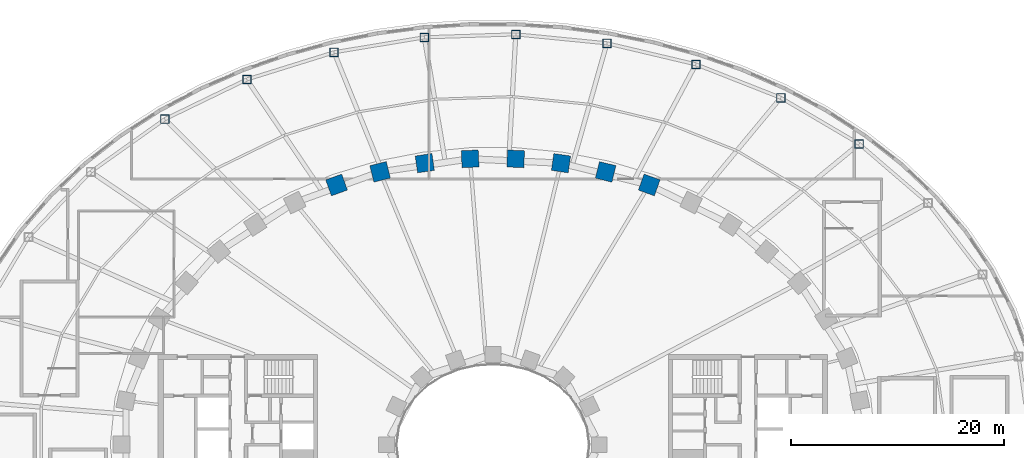
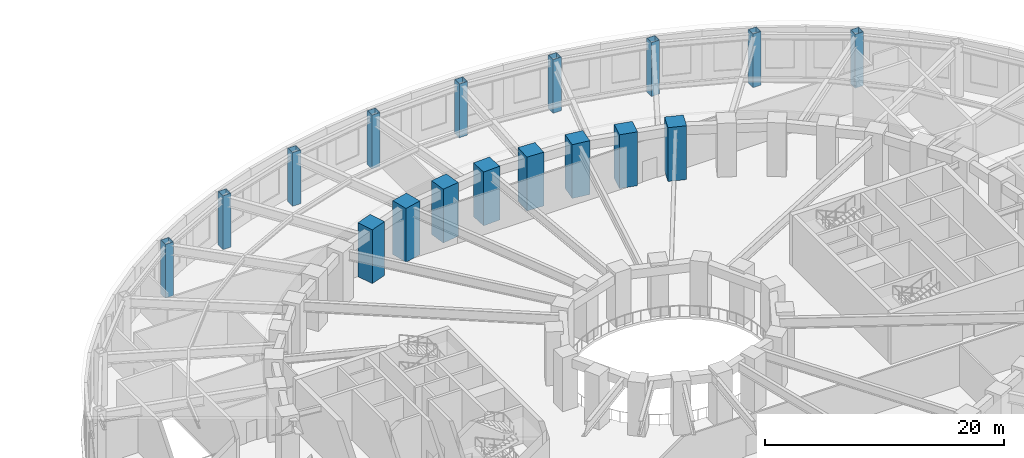
# One storey, part 2 of 63: 17 columns.
"""IFC4 building model written with IfcOpenShell, lengths in metres."""

from ifc_helpers import new_model, si_unit, direction, frame, origin, origin_2d, place, context, subcontext, project, spatial, rectangle, hollow_rectangle, extrude, material, material_profile, profile_set, type_object, element, save


model = new_model("IFC4")

# Units and contexts
model_context = context("Model", 3, precision=1e-05, world=origin(), true_north=direction((0.0, 1.0)))
body_context = subcontext(model_context, "Body", "Model", "MODEL_VIEW")
ifc_project = project(units=[si_unit("LENGTHUNIT", "METRE"), si_unit("AREAUNIT", "SQUARE_METRE"), si_unit("VOLUMEUNIT", "CUBIC_METRE"), si_unit("PLANEANGLEUNIT", "RADIAN"), si_unit("MASSUNIT", "GRAM", prefix="KILO")], contexts=[model_context])

# Site, building, storey
site_placement = place(None, origin())
site = spatial("IfcSite", under=ifc_project, at=site_placement, CompositionType="ELEMENT")
building_placement = place(site_placement, origin())
building = spatial("IfcBuilding", under=site, at=building_placement, Name="Noorbagh Ring Tower", CompositionType="ELEMENT")
storey_placement = place(building_placement, frame((0.0, 0.0, 25.0)))
storey = spatial("IfcBuildingStorey", under=building, at=storey_placement, Name="L04", CompositionType="ELEMENT", Elevation=25.0)

# Columns
ifc_material_1 = material(Name="Steel S355", Category="steel")
ifc_material_profile_1 = material_profile(ifc_material_1, hollow_rectangle(XDim=0.800048828125, YDim=0.800048828125, WallThickness=0.0400390625, at=origin_2d()), Name="BOX800x800x40")
ifc_profile_set_1 = profile_set([ifc_material_profile_1], Name="Steel S355")
column_type_1 = type_object("IfcColumnType", Name="GND-COL-BOX800x800x40", PredefinedType="COLUMN", material=ifc_profile_set_1)
for number, where, z_axis, x_axis, name in (
    (1, (34.46484375, 28.306884765625, 0.0), (0.0, 0.0, 1.0), (1.0, 0.0, 0.0), "L04/col/RP-05"),
    (2, (27.0869140625, 32.648193359375, 0.0), (0.0, 0.0, 1.0), (1.0, 0.0, 0.0), "L04/col/RP-06"),
    (3, (19.0966796875, 35.791748046875, 0.0), (0.0, 0.0, 1.0), (1.0, 0.0, 0.0), "L04/col/RP-07"),
    (4, (10.724609375, 37.771240234375, 0.0), (0.0, 0.0, 1.0), (1.0, 0.0, 0.0), "L04/col/RP-08"),
    (5, (2.154541015625, 38.6142578125, 0.0), (0.0, 0.0, 1.0), (1.0, 0.0, 0.0), "L04/col/RP-09"),
    (6, (-6.4541015625, 38.33349609375, 0.0), (0.0, 0.0, 1.0), (1.0, 0.0, 0.0), "L04/col/RP-10"),
    (7, (-14.946044921875, 36.925048828125, 0.0), (0.0, 0.0, 1.0), (1.0, 0.0, 0.0), "L04/col/RP-11"),
    (8, (-23.152587890625, 34.36767578125, 0.0), (0.0, 0.0, 1.0), (1.0, 0.0, 0.0), "L04/col/RP-12"),
    (9, (-30.869384765625, 30.629150390625, 0.0), (0.0, 0.0, 1.0), (1.0, 0.0, 0.0), "L04/col/RP-13"),
):
    element("IfcColumn", number, at=place(storey_placement, frame(where, z_axis=z_axis, x_axis=x_axis)), inside=storey, type_object=column_type_1, Name=name, PredefinedType="COLUMN", context=body_context, shape_type="SweptSolid", body=[
        extrude(hollow_rectangle(XDim=0.800048828125, YDim=0.800048828125, WallThickness=0.0400390625, at=origin_2d()), origin(), (0.0, 0.0, 1.0), 5.488037109375),
    ])
ifc_material_2 = material(Name="Concrete C70/85", Category="concrete")
ifc_material_profile_2 = material_profile(ifc_material_2, rectangle(XDim=1.60009765625, YDim=1.60009765625, at=origin_2d()), Name="RC1600x1600")
ifc_profile_set_2 = profile_set([ifc_material_profile_2], Name="Concrete C70/85")
column_type_2 = type_object("IfcColumnType", Name="STR-COL-RC1600x1600-C70-85", PredefinedType="COLUMN", material=ifc_profile_set_2)
for number, where, z_axis, x_axis, name in (
    (10, (14.70947265625, 24.44091796875, 0.0), (0.0, 0.0, 1.0), (-0.941024726094, 0.338337797003, 0.0), "L04/col/R1-09"),
    (11, (10.61328125, 25.673583984375, 0.0), (0.0, 0.0, 1.0), (-0.970829360981, 0.239771457553, 0.0), "L04/col/R1-10"),
    (12, (6.4091796875, 26.49072265625, 0.0), (0.0, 0.0, 1.0), (-0.989713114048, 0.143066249975, 0.0), "L04/col/R1-11"),
    (13, (2.14306640625, 26.89794921875, 0.0), (0.0, 0.0, 1.0), (-0.998868731212, 0.047552684538, 0.0), "L04/col/R1-12"),
    (14, (-2.14306640625, 26.89794921875, 0.0), (0.0, 0.0, 1.0), (-0.998868731212, -0.047552684538, 0.0), "L04/col/R1-13"),
    (15, (-6.4091796875, 26.49072265625, 0.0), (0.0, 0.0, 1.0), (-0.989713114048, -0.143066249975, 0.0), "L04/col/R1-14"),
    (16, (-10.61328125, 25.673583984375, 0.0), (0.0, 0.0, 1.0), (-0.970829360981, -0.239771457553, 0.0), "L04/col/R1-15"),
    (17, (-14.70947265625, 24.44091796875, 0.0), (0.0, 0.0, 1.0), (-0.941024726094, -0.338337797003, 0.0), "L04/col/R1-16"),
):
    element("IfcColumn", number, at=place(storey_placement, frame(where, z_axis=z_axis, x_axis=x_axis)), inside=storey, type_object=column_type_2, Name=name, PredefinedType="COLUMN", context=body_context, shape_type="SweptSolid", body=[
        extrude(rectangle(XDim=1.60009765625, YDim=1.60009765625, at=origin_2d()), origin(), (0.0, 0.0, 1.0), 5.5),
    ])

save(model, "model.ifc")
